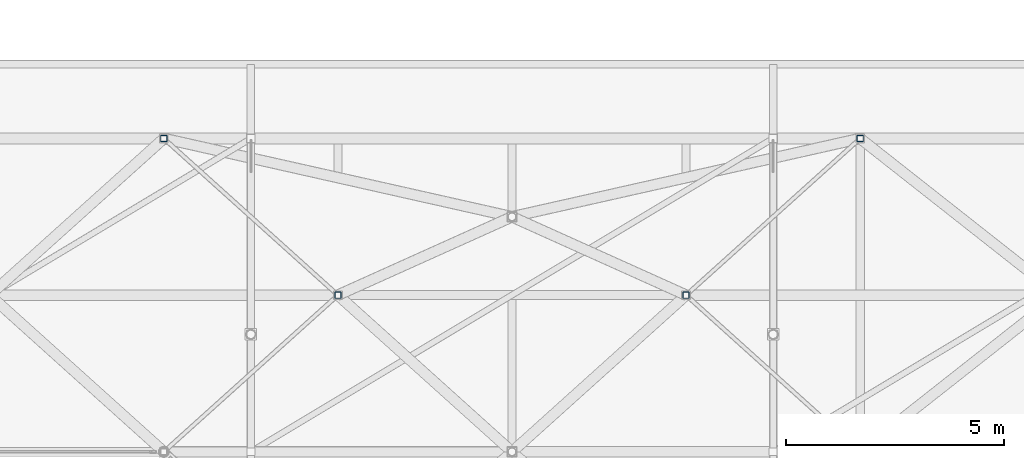
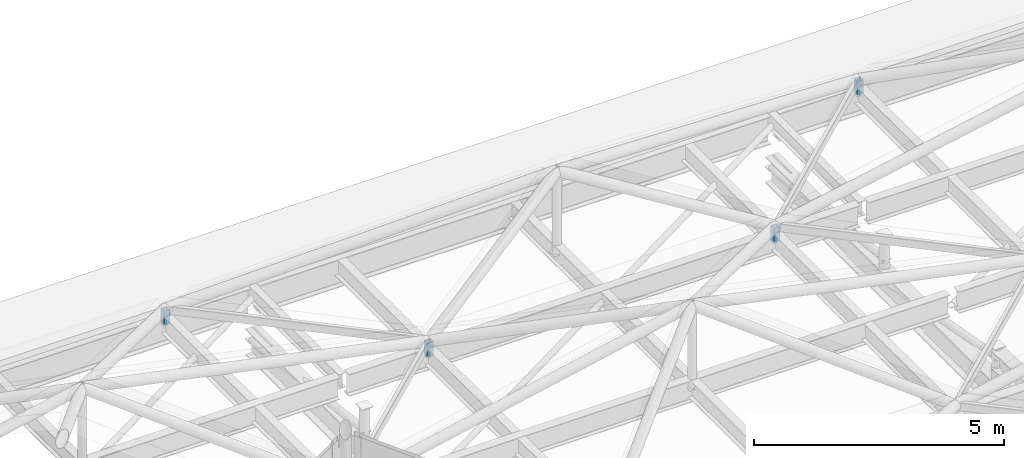
# One storey, part 206 of 239: 4 members.
"""IFC4 building model written with IfcOpenShell, lengths in metres."""

from ifc_helpers import new_model, si_unit, direction, frame, origin, origin_2d, place, context, subcontext, project, spatial, hollow_rectangle, extrude, material, material_profile, profile_set, type_object, element, save


model = new_model("IFC4")

# Units and contexts
model_context = context("Model", 3, precision=1e-05, world=origin(), true_north=direction((0.0, 1.0)))
body_context = subcontext(model_context, "Body", "Model", "MODEL_VIEW")
ifc_project = project(units=[si_unit("LENGTHUNIT", "METRE"), si_unit("AREAUNIT", "SQUARE_METRE"), si_unit("VOLUMEUNIT", "CUBIC_METRE"), si_unit("PLANEANGLEUNIT", "RADIAN"), si_unit("MASSUNIT", "GRAM", prefix="KILO")], contexts=[model_context])

# Site, building, storey
site_placement = place(None, origin())
site = spatial("IfcSite", under=ifc_project, at=site_placement, CompositionType="ELEMENT")
building_placement = place(site_placement, origin())
building = spatial("IfcBuilding", under=site, at=building_placement, Name="Dunvalen Ferry Terminal", CompositionType="ELEMENT")
storey_placement = place(building_placement, frame((0.0, 0.0, 9.840087890625)))
storey = spatial("IfcBuildingStorey", under=building, at=storey_placement, Name="L02", CompositionType="ELEMENT", Elevation=9.840087890625)

# Members
ifc_material = material(Name="Steel S355", Category="steel")
ifc_material_profile = material_profile(ifc_material, hollow_rectangle(XDim=0.14990234375, YDim=0.14990234375, WallThickness=0.008056640625, InnerFilletRadius=0.008056640625, OuterFilletRadius=0.01611328125, at=origin_2d()), Name="Steel S355")
ifc_profile_set = profile_set([ifc_material_profile], Name="Steel S355")
member_type = type_object("IfcMemberType", Name="STR-MB-SHS150", PredefinedType="BRACE", material=ifc_profile_set)
for number, where, z_axis, x_axis, name in (
    (1, (74.0, 82.800048828125, 0.77001953125), (0.0, 0.0, 1.0), (1.0, 0.0, 0.0), "HEX-33 Rim Pedestal Strut 4"),
    (2, (70.0, 86.39990234375, 0.77001953125), (0.0, 0.0, 1.0), (1.0, 0.0, 0.0), "HEX-33 Rim Pedestal Strut 5"),
    (3, (82.0, 82.800048828125, 0.77001953125), (0.0, 0.0, 1.0), (1.0, 0.0, 0.0), "HEX-38 Rim Pedestal Strut 5"),
    (4, (86.0, 86.39990234375, 0.77001953125), (0.0, 0.0, 1.0), (1.0, 0.0, 0.0), "HEX-39 Rim Pedestal Strut 4"),
):
    element("IfcMember", number, at=place(storey_placement, frame(where, z_axis=z_axis, x_axis=x_axis)), inside=storey, type_object=member_type, Name=name, PredefinedType="BRACE", context=body_context, shape_type="SweptSolid", body=[
        extrude(hollow_rectangle(XDim=0.14990234375, YDim=0.14990234375, WallThickness=0.008056640625, InnerFilletRadius=0.008056640625, OuterFilletRadius=0.01611328125, at=origin_2d()), origin(), (0.0, 0.0, 1.0), 0.329833984375),
    ])

save(model, "model.ifc")
